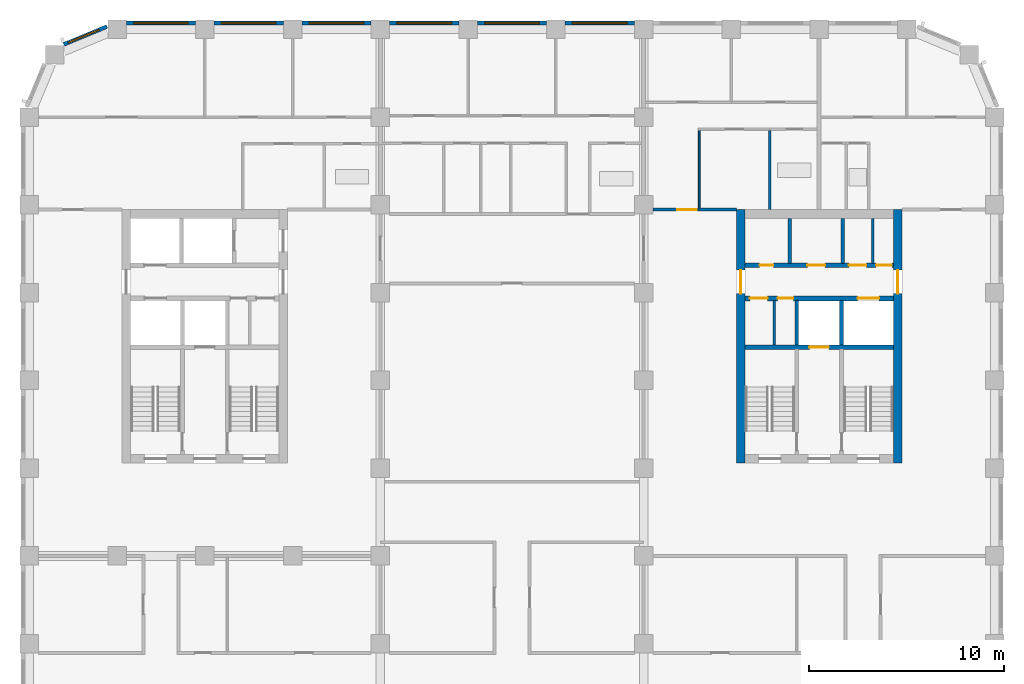
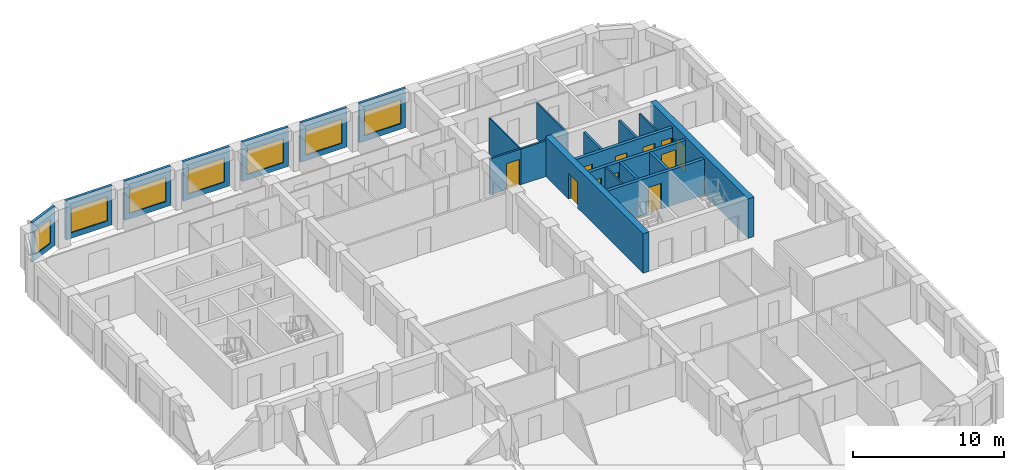
# One storey, part 8 of 13: 22 walls, 11 doors, 7 windows, 18 openings.
"""IFC4 building model written with IfcOpenShell, lengths in metres."""

from ifc_helpers import new_model, si_unit, direction, frame, frame_2d, origin, place, context, subcontext, project, spatial, rectangle, extrude, material, layer, layer_set, type_object, element, fill, save


model = new_model("IFC4")

# Units and contexts
model_context = context("Model", 3, precision=1e-05, world=origin(), true_north=direction((0.0, 1.0)))
body_context = subcontext(model_context, "Body", "Model", "MODEL_VIEW")
ifc_project = project(units=[si_unit("LENGTHUNIT", "METRE"), si_unit("AREAUNIT", "SQUARE_METRE"), si_unit("VOLUMEUNIT", "CUBIC_METRE"), si_unit("PLANEANGLEUNIT", "RADIAN"), si_unit("MASSUNIT", "GRAM", prefix="KILO")], contexts=[model_context])

# Site, building, storey
site_placement = place(None, origin())
site = spatial("IfcSite", under=ifc_project, at=site_placement, CompositionType="ELEMENT")
building_placement = place(site_placement, origin())
building = spatial("IfcBuilding", under=site, at=building_placement, Name="Girih Gate Residences", CompositionType="ELEMENT")
storey_placement = place(building_placement, frame((0.0, 0.0, 133.39990234375)))
storey = spatial("IfcBuildingStorey", under=building, at=storey_placement, Name="L37", CompositionType="ELEMENT", Elevation=133.39990234375)

# Wall, opening, door
ifc_material_1 = material(Name="Gypsum board on steel studs", Category="steel")
ifc_layer_1 = layer(ifc_material_1, 0.14990234375)
ifc_layer_set_1 = layer_set([ifc_layer_1], Name="Compartment wall 150 mm")
wall_type_1 = type_object("IfcWallType", Name="Compartment wall 150 mm", PredefinedType="PARTITIONING", material=ifc_layer_set_1)
wall_1_placement = place(storey_placement, frame((31.97509765625, 40.25, 0.0), z_axis=(0.0, 0.0, 1.0), x_axis=(1.0, 0.0, 0.0)))
wall_1 = element("IfcWall", 1, at=wall_1_placement, inside=storey, type_object=wall_type_1, Name="L37 partition", PredefinedType="PARTITIONING", context=body_context, shape_type="SweptSolid", body=[
    extrude(rectangle(XDim=2.375, YDim=0.14990234375, at=frame_2d((1.1875, 0.0))), origin(), (0.0, 0.0, 1.0), 2.900146484375),
])
opening_1_placement = place(wall_1_placement, frame((1.2451171875, 0.0, 0.0)))
opening_1 = element("IfcOpeningElement", 2, at=opening_1_placement, cuts=wall_1, Name="Opening A37-036", PredefinedType="OPENING", context=body_context, shape_type="SweptSolid", body=[
    extrude(rectangle(XDim=1.0, YDim=2.10009765625, at=frame_2d((0.5, 1.050048828125))), frame((0.0, 0.0849609375, 0.0), z_axis=(0.0, -1.0, 0.0), x_axis=(1.0, 0.0, 0.0)), (0.0, 0.0, 1.0), 0.169921875),
])
ifc_material_2 = material(Name="Timber, fire-rated core", Category="wood")
door_type_1 = type_object("IfcDoorType", Name="Flat entrance door 1000x2100 FD30S", OperationType="NOTDEFINED", PredefinedType="DOOR", material=ifc_material_2)
door_1_placement = place(opening_1_placement, origin())
door_1 = element("IfcDoor", 3, at=door_1_placement, inside=storey, type_object=door_type_1, Name="Door A37-036", OperationType="SINGLE_SWING_RIGHT", OverallHeight=2.10009765625, OverallWidth=1.0, PredefinedType="DOOR", context=body_context, shape_type="SweptSolid", body=[
    extrude(rectangle(XDim=1.0, YDim=2.10009765625, at=frame_2d((0.5, 1.050048828125))), frame((0.0, 0.02490234375, 0.0), z_axis=(0.0, -1.0, 0.0), x_axis=(1.0, 0.0, 0.0)), (0.0, 0.0, 1.0), 0.050048828125),
])
fill(opening_1, door_1)

# Wall
wall_2_placement = place(storey_placement, frame((34.35009765625, 40.25, 0.0), z_axis=(0.0, 0.0, 1.0), x_axis=(1.0, 0.0, 0.0)))
element("IfcWall", 4, at=wall_2_placement, inside=storey, type_object=wall_type_1, Name="L37 partition", PredefinedType="PARTITIONING", context=body_context, shape_type="SweptSolid", body=[
    extrude(rectangle(XDim=1.89990234375, YDim=0.14990234375, at=frame_2d((0.949951171875, 0.0))), origin(), (0.0, 0.0, 1.0), 2.900146484375),
])

# Wall, opening, door
ifc_material_3 = material(Name="Concrete C60/75", Category="concrete")
ifc_layer_2 = layer(ifc_material_3, 0.449951171875)
ifc_layer_set_2 = layer_set([ifc_layer_2], Name="Core wall RC 450 Concrete C60/75")
wall_type_2 = type_object("IfcWallType", Name="Core wall RC 450 Concrete C60/75", PredefinedType="SOLIDWALL", material=ifc_layer_set_2)
wall_3_placement = place(storey_placement, frame((36.47509765625, 27.25, 0.0), z_axis=(0.0, 0.0, 1.0), x_axis=(0.0, 1.0, 0.0)))
wall_3 = element("IfcWall", 5, at=wall_3_placement, inside=storey, type_object=wall_type_2, Name="Core wall E-W L37", PredefinedType="SOLIDWALL", context=body_context, shape_type="SweptSolid", body=[
    extrude(rectangle(XDim=13.0, YDim=0.449951171875, at=frame_2d((6.5, 0.0))), origin(), (0.0, 0.0, 1.0), 3.2001953125),
])
opening_2_placement = place(wall_3_placement, frame((8.699951171875, 0.0, 0.0)))
opening_2 = element("IfcOpeningElement", 6, at=opening_2_placement, cuts=wall_3, Name="Opening D-L37-E-014", PredefinedType="OPENING", context=body_context, shape_type="SweptSolid", body=[
    extrude(rectangle(XDim=1.199951171875, YDim=2.10009765625, at=frame_2d((0.60009765625, 1.050048828125))), frame((0.0, 0.23486328125, 0.0), z_axis=(0.0, -1.0, 0.0), x_axis=(1.0, 0.0, 0.0)), (0.0, 0.0, 1.0), 0.469970703125),
])
ifc_material_4 = material(Name="Painted steel, fire-resisting", Category="steel")
door_type_2 = type_object("IfcDoorType", Name="Fire door 1200x2100", OperationType="SINGLE_SWING_LEFT", PredefinedType="DOOR", material=ifc_material_4)
door_2_placement = place(opening_2_placement, origin())
door_2 = element("IfcDoor", 7, at=door_2_placement, inside=storey, type_object=door_type_2, Name="L37 E core door ll-w", OperationType="SINGLE_SWING_LEFT", OverallHeight=2.10009765625, OverallWidth=1.199951171875, PredefinedType="DOOR", context=body_context, shape_type="SweptSolid", body=[
    extrude(rectangle(XDim=1.199951171875, YDim=2.10009765625, at=frame_2d((0.60009765625, 1.050048828125))), frame((0.0, 0.02490234375, 0.0), z_axis=(0.0, -1.0, 0.0), x_axis=(1.0, 0.0, 0.0)), (0.0, 0.0, 1.0), 0.050048828125),
])
fill(opening_2, door_2)

wall_4_placement = place(storey_placement, frame((44.52490234375, 27.25, 0.0), z_axis=(0.0, 0.0, 1.0), x_axis=(0.0, 1.0, 0.0)))
wall_4 = element("IfcWall", 8, at=wall_4_placement, inside=storey, type_object=wall_type_2, Name="Core wall E-E L37", PredefinedType="SOLIDWALL", context=body_context, shape_type="SweptSolid", body=[
    extrude(rectangle(XDim=13.0, YDim=0.449951171875, at=frame_2d((6.5, 0.0))), origin(), (0.0, 0.0, 1.0), 3.2001953125),
])
opening_3_placement = place(wall_4_placement, frame((8.699951171875, 0.0, 0.0)))
opening_3 = element("IfcOpeningElement", 9, at=opening_3_placement, cuts=wall_4, Name="Opening D-L37-E-015", PredefinedType="OPENING", context=body_context, shape_type="SweptSolid", body=[
    extrude(rectangle(XDim=1.199951171875, YDim=2.10009765625, at=frame_2d((0.60009765625, 1.050048828125))), frame((0.0, 0.23486328125, 0.0), z_axis=(0.0, -1.0, 0.0), x_axis=(1.0, 0.0, 0.0)), (0.0, 0.0, 1.0), 0.469970703125),
])
door_3_placement = place(opening_3_placement, origin())
door_3 = element("IfcDoor", 10, at=door_3_placement, inside=storey, type_object=door_type_2, Name="L37 E core door ll-e", OperationType="SINGLE_SWING_LEFT", OverallHeight=2.10009765625, OverallWidth=1.199951171875, PredefinedType="DOOR", context=body_context, shape_type="SweptSolid", body=[
    extrude(rectangle(XDim=1.199951171875, YDim=2.10009765625, at=frame_2d((0.60009765625, 1.050048828125))), frame((0.0, 0.02490234375, 0.0), z_axis=(0.0, -1.0, 0.0), x_axis=(1.0, 0.0, 0.0)), (0.0, 0.0, 1.0), 0.050048828125),
])
fill(opening_3, door_3)

ifc_material_5 = material(Name="Concrete C40/50", Category="concrete")
ifc_layer_3 = layer(ifc_material_5, 0.25)
ifc_layer_set_3 = layer_set([ifc_layer_3], Name="Lift shaft wall 250")
wall_type_3 = type_object("IfcWallType", Name="Lift shaft wall 250", PredefinedType="SOLIDWALL", material=ifc_layer_set_3)
wall_5_placement = place(storey_placement, frame((36.699951171875, 33.199951171875, 0.0), z_axis=(0.0, 0.0, 1.0), x_axis=(1.0, 0.0, 0.0)))
wall_5 = element("IfcWall", 11, at=wall_5_placement, inside=storey, type_object=wall_type_3, Name="L37 E core wall H1", PredefinedType="SOLIDWALL", context=body_context, shape_type="SweptSolid", body=[
    extrude(rectangle(XDim=7.60009765625, YDim=0.25, at=frame_2d((3.800048828125, 0.0))), origin(), (0.0, 0.0, 1.0), 2.900146484375),
])
opening_4_placement = place(wall_5_placement, frame((3.300048828125, 0.0, 0.0)))
opening_4 = element("IfcOpeningElement", 12, at=opening_4_placement, cuts=wall_5, Name="Opening D-L37-E-004", PredefinedType="OPENING", context=body_context, shape_type="SweptSolid", body=[
    extrude(rectangle(XDim=1.0, YDim=2.10009765625, at=frame_2d((0.5, 1.050048828125))), frame((0.0, 0.135009765625, 0.0), z_axis=(0.0, -1.0, 0.0), x_axis=(1.0, 0.0, 0.0)), (0.0, 0.0, 1.0), 0.27001953125),
])
ifc_material_6 = material(Name="Stainless steel, fire-resisting", Category="steel")
door_type_3 = type_object("IfcDoorType", Name="Firefighting lift landing door 1000x2100", OperationType="SLIDING_TO_LEFT", PredefinedType="DOOR", material=ifc_material_6)
door_4_placement = place(opening_4_placement, origin())
door_4 = element("IfcDoor", 13, at=door_4_placement, inside=storey, type_object=door_type_3, Name="L37 lift FF-E landing door", OperationType="SLIDING_TO_LEFT", OverallHeight=2.10009765625, OverallWidth=1.0, PredefinedType="DOOR", context=body_context, shape_type="SweptSolid", body=[
    extrude(rectangle(XDim=1.0, YDim=2.10009765625, at=frame_2d((0.5, 1.050048828125))), frame((0.0, 0.02490234375, 0.0), z_axis=(0.0, -1.0, 0.0), x_axis=(1.0, 0.0, 0.0)), (0.0, 0.0, 1.0), 0.050048828125),
])
fill(opening_4, door_4)

# Wall, openings, doors
wall_6_placement = place(storey_placement, frame((36.699951171875, 35.699951171875, 0.0), z_axis=(0.0, 0.0, 1.0), x_axis=(1.0, 0.0, 0.0)))
wall_6 = element("IfcWall", 14, at=wall_6_placement, inside=storey, type_object=wall_type_3, Name="L37 E core wall H2", PredefinedType="SOLIDWALL", context=body_context, shape_type="SweptSolid", body=[
    extrude(rectangle(XDim=7.60009765625, YDim=0.25, at=frame_2d((3.800048828125, 0.0))), origin(), (0.0, 0.0, 1.0), 2.900146484375),
])
opening_5_placement = place(wall_6_placement, frame((5.77490234375, 0.0, 0.0)))
opening_5 = element("IfcOpeningElement", 15, at=opening_5_placement, cuts=wall_6, Name="Opening D-L37-E-003", PredefinedType="OPENING", context=body_context, shape_type="SweptSolid", body=[
    extrude(rectangle(XDim=1.10009765625, YDim=2.39990234375, at=frame_2d((0.550048828125, 1.199951171875))), frame((0.0, 0.135009765625, 0.0), z_axis=(0.0, -1.0, 0.0), x_axis=(1.0, 0.0, 0.0)), (0.0, 0.0, 1.0), 0.27001953125),
])
opening_6_placement = place(wall_6_placement, frame((1.675048828125, 0.0, 0.0)))
opening_6 = element("IfcOpeningElement", 16, at=opening_6_placement, cuts=wall_6, Name="Opening D-L37-E-006", PredefinedType="OPENING", context=body_context, shape_type="SweptSolid", body=[
    extrude(rectangle(XDim=0.800048828125, YDim=2.10009765625, at=frame_2d((0.39990234375, 1.050048828125))), frame((0.0, 0.135009765625, 0.0), z_axis=(0.0, -1.0, 0.0), x_axis=(1.0, 0.0, 0.0)), (0.0, 0.0, 1.0), 0.27001953125),
])
opening_7_placement = place(wall_6_placement, frame((0.25, 0.0, 0.0)))
opening_7 = element("IfcOpeningElement", 17, at=opening_7_placement, cuts=wall_6, Name="Opening D-L37-E-007", PredefinedType="OPENING", context=body_context, shape_type="SweptSolid", body=[
    extrude(rectangle(XDim=0.89990234375, YDim=2.10009765625, at=frame_2d((0.449951171875, 1.050048828125))), frame((0.0, 0.135009765625, 0.0), z_axis=(0.0, -1.0, 0.0), x_axis=(1.0, 0.0, 0.0)), (0.0, 0.0, 1.0), 0.27001953125),
])
door_type_4 = type_object("IfcDoorType", Name="Fire door 800x2100", OperationType="SINGLE_SWING_LEFT", PredefinedType="DOOR", material=ifc_material_4)
door_5_placement = place(opening_6_placement, origin())
door_5 = element("IfcDoor", 18, at=door_5_placement, inside=storey, type_object=door_type_4, Name="L37 E it room door", OperationType="SINGLE_SWING_LEFT", OverallHeight=2.10009765625, OverallWidth=0.800048828125, PredefinedType="DOOR", context=body_context, shape_type="SweptSolid", body=[
    extrude(rectangle(XDim=0.800048828125, YDim=2.10009765625, at=frame_2d((0.39990234375, 1.050048828125))), frame((0.0, 0.02490234375, 0.0), z_axis=(0.0, -1.0, 0.0), x_axis=(1.0, 0.0, 0.0)), (0.0, 0.0, 1.0), 0.050048828125),
])
fill(opening_6, door_5)
door_type_5 = type_object("IfcDoorType", Name="Fire door 900x2100", OperationType="SINGLE_SWING_LEFT", PredefinedType="DOOR", material=ifc_material_4)
door_6_placement = place(opening_7_placement, origin())
door_6 = element("IfcDoor", 19, at=door_6_placement, inside=storey, type_object=door_type_5, Name="L37 E maintenance store door", OperationType="SINGLE_SWING_LEFT", OverallHeight=2.10009765625, OverallWidth=0.89990234375, PredefinedType="DOOR", context=body_context, shape_type="SweptSolid", body=[
    extrude(rectangle(XDim=0.89990234375, YDim=2.10009765625, at=frame_2d((0.449951171875, 1.050048828125))), frame((0.0, 0.02490234375, 0.0), z_axis=(0.0, -1.0, 0.0), x_axis=(1.0, 0.0, 0.0)), (0.0, 0.0, 1.0), 0.050048828125),
])
fill(opening_7, door_6)
ifc_material_7 = material(Name="Stainless steel", Category="steel")
door_type_6 = type_object("IfcDoorType", Name="Lift landing door 1100x2400", OperationType="SLIDING_TO_LEFT", PredefinedType="DOOR", material=ifc_material_7)
door_7_placement = place(opening_5_placement, origin())
door_7 = element("IfcDoor", 20, at=door_7_placement, inside=storey, type_object=door_type_6, Name="L37 lift HR-E1 landing door", OperationType="SLIDING_TO_LEFT", OverallHeight=2.39990234375, OverallWidth=1.10009765625, PredefinedType="DOOR", context=body_context, shape_type="SweptSolid", body=[
    extrude(rectangle(XDim=1.10009765625, YDim=2.39990234375, at=frame_2d((0.550048828125, 1.199951171875))), frame((0.0, 0.02490234375, 0.0), z_axis=(0.0, -1.0, 0.0), x_axis=(1.0, 0.0, 0.0)), (0.0, 0.0, 1.0), 0.050048828125),
])
fill(opening_5, door_7)

wall_7_placement = place(storey_placement, frame((36.699951171875, 37.39990234375, 0.0), z_axis=(0.0, 0.0, 1.0), x_axis=(1.0, 0.0, 0.0)))
wall_7 = element("IfcWall", 21, at=wall_7_placement, inside=storey, type_object=wall_type_3, Name="L37 E core wall H3", PredefinedType="SOLIDWALL", context=body_context, shape_type="SweptSolid", body=[
    extrude(rectangle(XDim=7.60009765625, YDim=0.25, at=frame_2d((3.800048828125, 0.0))), origin(), (0.0, 0.0, 1.0), 2.900146484375),
])
opening_8_placement = place(wall_7_placement, frame((0.75, 0.0, 0.0)))
opening_8 = element("IfcOpeningElement", 22, at=opening_8_placement, cuts=wall_7, Name="Opening D-L37-E-005", PredefinedType="OPENING", context=body_context, shape_type="SweptSolid", body=[
    extrude(rectangle(XDim=0.699951171875, YDim=2.10009765625, at=frame_2d((0.35009765625, 1.050048828125))), frame((0.0, 0.135009765625, 0.0), z_axis=(0.0, -1.0, 0.0), x_axis=(1.0, 0.0, 0.0)), (0.0, 0.0, 1.0), 0.27001953125),
])
opening_9_placement = place(wall_7_placement, frame((6.72509765625, 0.0, 0.0)))
opening_9 = element("IfcOpeningElement", 23, at=opening_9_placement, cuts=wall_7, Name="Opening D-L37-E-008", PredefinedType="OPENING", context=body_context, shape_type="SweptSolid", body=[
    extrude(rectangle(XDim=0.800048828125, YDim=2.10009765625, at=frame_2d((0.39990234375, 1.050048828125))), frame((0.0, 0.135009765625, 0.0), z_axis=(0.0, -1.0, 0.0), x_axis=(1.0, 0.0, 0.0)), (0.0, 0.0, 1.0), 0.27001953125),
])
opening_10_placement = place(wall_7_placement, frame((5.324951171875, 0.0, 0.0)))
opening_10 = element("IfcOpeningElement", 24, at=opening_10_placement, cuts=wall_7, Name="Opening D-L37-E-009", PredefinedType="OPENING", context=body_context, shape_type="SweptSolid", body=[
    extrude(rectangle(XDim=0.89990234375, YDim=2.10009765625, at=frame_2d((0.449951171875, 1.050048828125))), frame((0.0, 0.135009765625, 0.0), z_axis=(0.0, -1.0, 0.0), x_axis=(1.0, 0.0, 0.0)), (0.0, 0.0, 1.0), 0.27001953125),
])
opening_11_placement = place(wall_7_placement, frame((3.199951171875, 0.0, 0.0)))
opening_11 = element("IfcOpeningElement", 25, at=opening_11_placement, cuts=wall_7, Name="Opening D-L37-E-010", PredefinedType="OPENING", context=body_context, shape_type="SweptSolid", body=[
    extrude(rectangle(XDim=0.89990234375, YDim=2.10009765625, at=frame_2d((0.449951171875, 1.050048828125))), frame((0.0, 0.135009765625, 0.0), z_axis=(0.0, -1.0, 0.0), x_axis=(1.0, 0.0, 0.0)), (0.0, 0.0, 1.0), 0.27001953125),
])
door_8_placement = place(opening_9_placement, origin())
door_8 = element("IfcDoor", 26, at=door_8_placement, inside=storey, type_object=door_type_4, Name="L37 E riser room door", OperationType="SINGLE_SWING_LEFT", OverallHeight=2.10009765625, OverallWidth=0.800048828125, PredefinedType="DOOR", context=body_context, shape_type="SweptSolid", body=[
    extrude(rectangle(XDim=0.800048828125, YDim=2.10009765625, at=frame_2d((0.39990234375, 1.050048828125))), frame((0.0, 0.02490234375, 0.0), z_axis=(0.0, -1.0, 0.0), x_axis=(1.0, 0.0, 0.0)), (0.0, 0.0, 1.0), 0.050048828125),
])
fill(opening_9, door_8)
door_9_placement = place(opening_10_placement, origin())
door_9 = element("IfcDoor", 27, at=door_9_placement, inside=storey, type_object=door_type_5, Name="L37 E linen store door", OperationType="SINGLE_SWING_LEFT", OverallHeight=2.10009765625, OverallWidth=0.89990234375, PredefinedType="DOOR", context=body_context, shape_type="SweptSolid", body=[
    extrude(rectangle(XDim=0.89990234375, YDim=2.10009765625, at=frame_2d((0.449951171875, 1.050048828125))), frame((0.0, 0.02490234375, 0.0), z_axis=(0.0, -1.0, 0.0), x_axis=(1.0, 0.0, 0.0)), (0.0, 0.0, 1.0), 0.050048828125),
])
fill(opening_10, door_9)
door_10_placement = place(opening_11_placement, origin())
door_10 = element("IfcDoor", 28, at=door_10_placement, inside=storey, type_object=door_type_5, Name="L37 E pantry door", OperationType="SINGLE_SWING_LEFT", OverallHeight=2.10009765625, OverallWidth=0.89990234375, PredefinedType="DOOR", context=body_context, shape_type="SweptSolid", body=[
    extrude(rectangle(XDim=0.89990234375, YDim=2.10009765625, at=frame_2d((0.449951171875, 1.050048828125))), frame((0.0, 0.02490234375, 0.0), z_axis=(0.0, -1.0, 0.0), x_axis=(1.0, 0.0, 0.0)), (0.0, 0.0, 1.0), 0.050048828125),
])
fill(opening_11, door_10)
door_type_7 = type_object("IfcDoorType", Name="Riser access door 700x2100", OperationType="SINGLE_SWING_LEFT", PredefinedType="DOOR", material=ifc_material_4)
door_11_placement = place(opening_8_placement, origin())
door_11 = element("IfcDoor", 29, at=door_11_placement, inside=storey, type_object=door_type_7, Name="L37 E riser room door", OperationType="SINGLE_SWING_LEFT", OverallHeight=2.10009765625, OverallWidth=0.699951171875, PredefinedType="DOOR", context=body_context, shape_type="SweptSolid", body=[
    extrude(rectangle(XDim=0.699951171875, YDim=2.10009765625, at=frame_2d((0.35009765625, 1.050048828125))), frame((0.0, 0.02490234375, 0.0), z_axis=(0.0, -1.0, 0.0), x_axis=(1.0, 0.0, 0.0)), (0.0, 0.0, 1.0), 0.050048828125),
])
fill(opening_8, door_11)

# Wall
ifc_layer_4 = layer(ifc_material_1, 0.10009765625)
ifc_layer_set_4 = layer_set([ifc_layer_4], Name="Partition 100 mm")
wall_type_4 = type_object("IfcWallType", Name="Partition 100 mm", PredefinedType="PARTITIONING", material=ifc_layer_set_4)
wall_8_placement = place(storey_placement, frame((34.35009765625, 40.324951171875, 0.0), z_axis=(0.0, 0.0, 1.0), x_axis=(0.0, 1.0, 0.0)))
element("IfcWall", 30, at=wall_8_placement, inside=storey, type_object=wall_type_4, Name="L37 partition", PredefinedType="PARTITIONING", context=body_context, shape_type="SweptSolid", body=[
    extrude(rectangle(XDim=4.0, YDim=0.10009765625, at=frame_2d((2.0, 0.0))), origin(), (0.0, 0.0, 1.0), 2.900146484375),
])

# Wall, opening, window
ifc_material_8 = material(Name="Precast concrete C50/60", Category="concrete")
ifc_layer_5 = layer(ifc_material_8, 0.06005859375, Name="Outer leaf")
ifc_material_9 = material(Name="Rigid PIR insulation")
ifc_layer_6 = layer(ifc_material_9, 0.090087890625, Name="Insulation")
ifc_material_10 = material(Name="Precast concrete C40/50", Category="concrete")
ifc_layer_7 = layer(ifc_material_10, 0.050048828125, Name="Inner leaf")
ifc_layer_set_5 = layer_set([ifc_layer_5, ifc_layer_6, ifc_layer_7], Name="Precast concrete C50/60 external wall 200")
wall_type_5 = type_object("IfcWallType", Name="Precast concrete C50/60 external wall 200", PredefinedType="SOLIDWALL", material=ifc_layer_set_5)
wall_9_placement = place(storey_placement, frame((27.47509765625, 49.824951171875, 0.0), z_axis=(0.0, 0.0, 1.0), x_axis=(1.0, 0.0, 0.0)))
wall_9 = element("IfcWall", 31, at=wall_9_placement, inside=storey, type_object=wall_type_5, Name="External wall N0450_0495.3", PredefinedType="SOLIDWALL", context=body_context, shape_type="SweptSolid", body=[
    extrude(rectangle(XDim=3.5498046875, YDim=0.199951171875, at=frame_2d((1.77490234375, 0.0))), origin(), (0.0, 0.0, 1.0), 3.2001953125),
])
opening_12_placement = place(wall_9_placement, frame((0.375, 0.0, 0.449951171875)))
opening_12 = element("IfcOpeningElement", 32, at=opening_12_placement, cuts=wall_9, Name="Opening W-1B", PredefinedType="OPENING", context=body_context, shape_type="SweptSolid", body=[
    extrude(rectangle(XDim=2.800048828125, YDim=1.949951171875, at=frame_2d((1.39990234375, 0.97509765625))), frame((0.0, 0.10986328125, 0.0), z_axis=(0.0, -1.0, 0.0), x_axis=(1.0, 0.0, 0.0)), (0.0, 0.0, 1.0), 0.219970703125),
])
ifc_material_11 = material(Name="Double glazing in aluminium frame", Category="aluminium")
window_type_1 = type_object("IfcWindowType", Name="Window W-1B 2800x1950", PartitioningType="SINGLE_PANEL", PredefinedType="WINDOW", material=ifc_material_11)
window_1_placement = place(opening_12_placement, origin())
window_1 = element("IfcWindow", 33, at=window_1_placement, inside=storey, type_object=window_type_1, Name="Window W-1B N0450_0495.3", OverallHeight=1.949951171875, OverallWidth=2.800048828125, PartitioningType="SINGLE_PANEL", PredefinedType="WINDOW", context=body_context, shape_type="SweptSolid", body=[
    extrude(rectangle(XDim=2.800048828125, YDim=1.949951171875, at=frame_2d((1.39990234375, 0.97509765625))), frame((0.0, 0.030029296875, 0.0), z_axis=(0.0, -1.0, 0.0), x_axis=(1.0, 0.0, 0.0)), (0.0, 0.0, 1.0), 0.06005859375),
])
fill(opening_12, window_1)

wall_10_placement = place(storey_placement, frame((22.97509765625, 49.824951171875, 0.0), z_axis=(0.0, 0.0, 1.0), x_axis=(1.0, 0.0, 0.0)))
wall_10 = element("IfcWall", 34, at=wall_10_placement, inside=storey, type_object=wall_type_5, Name="External wall N0450_0495.4", PredefinedType="SOLIDWALL", context=body_context, shape_type="SweptSolid", body=[
    extrude(rectangle(XDim=3.5498046875, YDim=0.199951171875, at=frame_2d((1.77490234375, 0.0))), origin(), (0.0, 0.0, 1.0), 3.2001953125),
])
opening_13_placement = place(wall_10_placement, frame((0.375, 0.0, 0.449951171875)))
opening_13 = element("IfcOpeningElement", 35, at=opening_13_placement, cuts=wall_10, Name="Opening W-1B", PredefinedType="OPENING", context=body_context, shape_type="SweptSolid", body=[
    extrude(rectangle(XDim=2.800048828125, YDim=1.949951171875, at=frame_2d((1.39990234375, 0.97509765625))), frame((0.0, 0.10986328125, 0.0), z_axis=(0.0, -1.0, 0.0), x_axis=(1.0, 0.0, 0.0)), (0.0, 0.0, 1.0), 0.219970703125),
])
window_2_placement = place(opening_13_placement, origin())
window_2 = element("IfcWindow", 36, at=window_2_placement, inside=storey, type_object=window_type_1, Name="Window W-1B N0450_0495.4", OverallHeight=1.949951171875, OverallWidth=2.800048828125, PartitioningType="SINGLE_PANEL", PredefinedType="WINDOW", context=body_context, shape_type="SweptSolid", body=[
    extrude(rectangle(XDim=2.800048828125, YDim=1.949951171875, at=frame_2d((1.39990234375, 0.97509765625))), frame((0.0, 0.030029296875, 0.0), z_axis=(0.0, -1.0, 0.0), x_axis=(1.0, 0.0, 0.0)), (0.0, 0.0, 1.0), 0.06005859375),
])
fill(opening_13, window_2)

wall_11_placement = place(storey_placement, frame((18.47509765625, 49.824951171875, 0.0), z_axis=(0.0, 0.0, 1.0), x_axis=(1.0, 0.0, 0.0)))
wall_11 = element("IfcWall", 37, at=wall_11_placement, inside=storey, type_object=wall_type_5, Name="External wall N0450_0495.5", PredefinedType="SOLIDWALL", context=body_context, shape_type="SweptSolid", body=[
    extrude(rectangle(XDim=3.5498046875, YDim=0.199951171875, at=frame_2d((1.77490234375, 0.0))), origin(), (0.0, 0.0, 1.0), 3.2001953125),
])
opening_14_placement = place(wall_11_placement, frame((0.375, 0.0, 0.449951171875)))
opening_14 = element("IfcOpeningElement", 38, at=opening_14_placement, cuts=wall_11, Name="Opening W-1B", PredefinedType="OPENING", context=body_context, shape_type="SweptSolid", body=[
    extrude(rectangle(XDim=2.800048828125, YDim=1.949951171875, at=frame_2d((1.39990234375, 0.97509765625))), frame((0.0, 0.10986328125, 0.0), z_axis=(0.0, -1.0, 0.0), x_axis=(1.0, 0.0, 0.0)), (0.0, 0.0, 1.0), 0.219970703125),
])
window_3_placement = place(opening_14_placement, origin())
window_3 = element("IfcWindow", 39, at=window_3_placement, inside=storey, type_object=window_type_1, Name="Window W-1B N0450_0495.5", OverallHeight=1.949951171875, OverallWidth=2.800048828125, PartitioningType="SINGLE_PANEL", PredefinedType="WINDOW", context=body_context, shape_type="SweptSolid", body=[
    extrude(rectangle(XDim=2.800048828125, YDim=1.949951171875, at=frame_2d((1.39990234375, 0.97509765625))), frame((0.0, 0.030029296875, 0.0), z_axis=(0.0, -1.0, 0.0), x_axis=(1.0, 0.0, 0.0)), (0.0, 0.0, 1.0), 0.06005859375),
])
fill(opening_14, window_3)

wall_12_placement = place(storey_placement, frame((13.97509765625, 49.824951171875, 0.0), z_axis=(0.0, 0.0, 1.0), x_axis=(1.0, 0.0, 0.0)))
wall_12 = element("IfcWall", 40, at=wall_12_placement, inside=storey, type_object=wall_type_5, Name="External wall N0450_0495.6", PredefinedType="SOLIDWALL", context=body_context, shape_type="SweptSolid", body=[
    extrude(rectangle(XDim=3.5498046875, YDim=0.199951171875, at=frame_2d((1.77490234375, 0.0))), origin(), (0.0, 0.0, 1.0), 3.2001953125),
])
opening_15_placement = place(wall_12_placement, frame((0.375, 0.0, 0.449951171875)))
opening_15 = element("IfcOpeningElement", 41, at=opening_15_placement, cuts=wall_12, Name="Opening W-1B", PredefinedType="OPENING", context=body_context, shape_type="SweptSolid", body=[
    extrude(rectangle(XDim=2.800048828125, YDim=1.949951171875, at=frame_2d((1.39990234375, 0.97509765625))), frame((0.0, 0.10986328125, 0.0), z_axis=(0.0, -1.0, 0.0), x_axis=(1.0, 0.0, 0.0)), (0.0, 0.0, 1.0), 0.219970703125),
])
window_4_placement = place(opening_15_placement, origin())
window_4 = element("IfcWindow", 42, at=window_4_placement, inside=storey, type_object=window_type_1, Name="Window W-1B N0450_0495.6", OverallHeight=1.949951171875, OverallWidth=2.800048828125, PartitioningType="SINGLE_PANEL", PredefinedType="WINDOW", context=body_context, shape_type="SweptSolid", body=[
    extrude(rectangle(XDim=2.800048828125, YDim=1.949951171875, at=frame_2d((1.39990234375, 0.97509765625))), frame((0.0, 0.030029296875, 0.0), z_axis=(0.0, -1.0, 0.0), x_axis=(1.0, 0.0, 0.0)), (0.0, 0.0, 1.0), 0.06005859375),
])
fill(opening_15, window_4)

wall_13_placement = place(storey_placement, frame((9.47509765625, 49.824951171875, 0.0), z_axis=(0.0, 0.0, 1.0), x_axis=(1.0, 0.0, 0.0)))
wall_13 = element("IfcWall", 43, at=wall_13_placement, inside=storey, type_object=wall_type_5, Name="External wall N0450_0495.7", PredefinedType="SOLIDWALL", context=body_context, shape_type="SweptSolid", body=[
    extrude(rectangle(XDim=3.5498046875, YDim=0.199951171875, at=frame_2d((1.77490234375, 0.0))), origin(), (0.0, 0.0, 1.0), 3.2001953125),
])
opening_16_placement = place(wall_13_placement, frame((0.375, 0.0, 0.449951171875)))
opening_16 = element("IfcOpeningElement", 44, at=opening_16_placement, cuts=wall_13, Name="Opening W-1B", PredefinedType="OPENING", context=body_context, shape_type="SweptSolid", body=[
    extrude(rectangle(XDim=2.800048828125, YDim=1.949951171875, at=frame_2d((1.39990234375, 0.97509765625))), frame((0.0, 0.10986328125, 0.0), z_axis=(0.0, -1.0, 0.0), x_axis=(1.0, 0.0, 0.0)), (0.0, 0.0, 1.0), 0.219970703125),
])
window_5_placement = place(opening_16_placement, origin())
window_5 = element("IfcWindow", 45, at=window_5_placement, inside=storey, type_object=window_type_1, Name="Window W-1B N0450_0495.7", OverallHeight=1.949951171875, OverallWidth=2.800048828125, PartitioningType="SINGLE_PANEL", PredefinedType="WINDOW", context=body_context, shape_type="SweptSolid", body=[
    extrude(rectangle(XDim=2.800048828125, YDim=1.949951171875, at=frame_2d((1.39990234375, 0.97509765625))), frame((0.0, 0.030029296875, 0.0), z_axis=(0.0, -1.0, 0.0), x_axis=(1.0, 0.0, 0.0)), (0.0, 0.0, 1.0), 0.06005859375),
])
fill(opening_16, window_5)

wall_14_placement = place(storey_placement, frame((4.97509765625, 49.824951171875, 0.0), z_axis=(0.0, 0.0, 1.0), x_axis=(1.0, 0.0, 0.0)))
wall_14 = element("IfcWall", 46, at=wall_14_placement, inside=storey, type_object=wall_type_5, Name="External wall N0450_0495.8", PredefinedType="SOLIDWALL", context=body_context, shape_type="SweptSolid", body=[
    extrude(rectangle(XDim=3.5498046875, YDim=0.199951171875, at=frame_2d((1.77490234375, 0.0))), origin(), (0.0, 0.0, 1.0), 3.2001953125),
])
opening_17_placement = place(wall_14_placement, frame((0.375, 0.0, 0.449951171875)))
opening_17 = element("IfcOpeningElement", 47, at=opening_17_placement, cuts=wall_14, Name="Opening W-1B", PredefinedType="OPENING", context=body_context, shape_type="SweptSolid", body=[
    extrude(rectangle(XDim=2.800048828125, YDim=1.949951171875, at=frame_2d((1.39990234375, 0.97509765625))), frame((0.0, 0.10986328125, 0.0), z_axis=(0.0, -1.0, 0.0), x_axis=(1.0, 0.0, 0.0)), (0.0, 0.0, 1.0), 0.219970703125),
])
window_6_placement = place(opening_17_placement, origin())
window_6 = element("IfcWindow", 48, at=window_6_placement, inside=storey, type_object=window_type_1, Name="Window W-1B N0450_0495.8", OverallHeight=1.949951171875, OverallWidth=2.800048828125, PartitioningType="SINGLE_PANEL", PredefinedType="WINDOW", context=body_context, shape_type="SweptSolid", body=[
    extrude(rectangle(XDim=2.800048828125, YDim=1.949951171875, at=frame_2d((1.39990234375, 0.97509765625))), frame((0.0, 0.030029296875, 0.0), z_axis=(0.0, -1.0, 0.0), x_axis=(1.0, 0.0, 0.0)), (0.0, 0.0, 1.0), 0.06005859375),
])
fill(opening_17, window_6)

wall_15_placement = place(storey_placement, frame((1.76708984375, 48.7197265625, 0.0), z_axis=(0.0, 0.0, 1.0), x_axis=(0.923880599843, 0.382680855588, 0.0)))
wall_15 = element("IfcWall", 49, at=wall_15_placement, inside=storey, type_object=wall_type_5, Name="External wall NW0045_0495.0", PredefinedType="SOLIDWALL", context=body_context, shape_type="SweptSolid", body=[
    extrude(rectangle(XDim=2.402587890625, YDim=0.199951171875, at=frame_2d((1.201171875, 0.0))), origin(), (0.0, 0.0, 1.0), 3.2001953125),
])
opening_18_placement = place(wall_15_placement, frame((0.25146484375, 0.0, 0.449951171875)))
opening_18 = element("IfcOpeningElement", 50, at=opening_18_placement, cuts=wall_15, Name="Opening W-2E", PredefinedType="OPENING", context=body_context, shape_type="SweptSolid", body=[
    extrude(rectangle(XDim=1.699951171875, YDim=1.949951171875, at=frame_2d((0.85009765625, 0.97509765625))), frame((0.0, 0.10986328125, 0.0), z_axis=(0.0, -1.0, 0.0), x_axis=(1.0, 0.0, 0.0)), (0.0, 0.0, 1.0), 0.219970703125),
])
window_type_2 = type_object("IfcWindowType", Name="Window W-2E 1700x1950", PartitioningType="SINGLE_PANEL", PredefinedType="WINDOW", material=ifc_material_11)
window_7_placement = place(opening_18_placement, origin())
window_7 = element("IfcWindow", 51, at=window_7_placement, inside=storey, type_object=window_type_2, Name="Window W-2E NW0045_0495.0", OverallHeight=1.949951171875, OverallWidth=1.699951171875, PartitioningType="SINGLE_PANEL", PredefinedType="WINDOW", context=body_context, shape_type="SweptSolid", body=[
    extrude(rectangle(XDim=1.699951171875, YDim=1.949951171875, at=frame_2d((0.85009765625, 0.97509765625))), frame((0.0, 0.030029296875, 0.0), z_axis=(0.0, -1.0, 0.0), x_axis=(1.0, 0.0, 0.0)), (0.0, 0.0, 1.0), 0.06005859375),
])
fill(opening_18, window_7)

# Walls
ifc_layer_8 = layer(ifc_material_5, 0.175048828125)
ifc_layer_set_6 = layer_set([ifc_layer_8], Name="Riser shaft wall 175")
wall_type_6 = type_object("IfcWallType", Name="Riser shaft wall 175", PredefinedType="SOLIDWALL", material=ifc_layer_set_6)
for number, where, z_axis, x_axis, name in (
    (52, (41.699951171875, 37.5, 0.0), (0.0, 0.0, 1.0), (0.0, 1.0, 0.0), "L37 E core wall V1c"),
    (53, (39.0, 37.5, 0.0), (0.0, 0.0, 1.0), (0.0, 1.0, 0.0), "L37 E core wall V2c"),
):
    element("IfcWall", number, at=place(storey_placement, frame(where, z_axis=z_axis, x_axis=x_axis)), inside=storey, type_object=wall_type_6, Name=name, PredefinedType="SOLIDWALL", context=body_context, shape_type="SweptSolid", body=[
        extrude(rectangle(XDim=2.300048828125, YDim=0.175048828125, at=frame_2d((1.14990234375, 0.0))), origin(), (0.0, 0.0, 1.0), 2.900146484375),
    ])
ifc_layer_9 = layer(ifc_material_5, 0.199951171875)
ifc_layer_set_7 = layer_set([ifc_layer_9], Name="Shaft wall 200")
wall_type_7 = type_object("IfcWallType", Name="Shaft wall 200", PredefinedType="SOLIDWALL", material=ifc_layer_set_7)
for number, where, z_axis, x_axis, name in (
    (54, (41.64990234375, 33.300048828125, 0.0), (0.0, 0.0, 1.0), (0.0, 1.0, 0.0), "L37 E core wall V1b"),
    (55, (39.35009765625, 33.300048828125, 0.0), (0.0, 0.0, 1.0), (0.0, 1.0, 0.0), "L37 E core wall V2b"),
):
    element("IfcWall", number, at=place(storey_placement, frame(where, z_axis=z_axis, x_axis=x_axis)), inside=storey, type_object=wall_type_7, Name=name, PredefinedType="SOLIDWALL", context=body_context, shape_type="SweptSolid", body=[
        extrude(rectangle(XDim=2.300048828125, YDim=0.199951171875, at=frame_2d((1.14990234375, 0.0))), origin(), (0.0, 0.0, 1.0), 2.900146484375),
    ])
ifc_material_12 = material(Name="Calcium silicate blockwork", Category="masonry")
ifc_layer_10 = layer(ifc_material_12, 0.125)
ifc_layer_set_8 = layer_set([ifc_layer_10], Name="Store partition 125")
wall_type_8 = type_object("IfcWallType", Name="Store partition 125", PredefinedType="PARTITIONING", material=ifc_layer_set_8)
for number, where, z_axis, x_axis, name in (
    (56, (38.199951171875, 33.300048828125, 0.0), (0.0, 0.0, 1.0), (0.0, 1.0, 0.0), "L37 E core wall SHR2"),
    (57, (43.25, 37.5, 0.0), (0.0, 0.0, 1.0), (0.0, 1.0, 0.0), "L37 E core wall SLR1"),
):
    element("IfcWall", number, at=place(storey_placement, frame(where, z_axis=z_axis, x_axis=x_axis)), inside=storey, type_object=wall_type_8, Name=name, PredefinedType="PARTITIONING", context=body_context, shape_type="SweptSolid", body=[
        extrude(rectangle(XDim=2.300048828125, YDim=0.125, at=frame_2d((1.14990234375, 0.0))), origin(), (0.0, 0.0, 1.0), 2.900146484375),
    ])
ifc_layer_11 = layer(ifc_material_1, 0.125)
ifc_layer_set_9 = layer_set([ifc_layer_11], Name="Wet room wall 125 mm")
wall_type_9 = type_object("IfcWallType", Name="Wet room wall 125 mm", PredefinedType="PARTITIONING", material=ifc_layer_set_9)
wall_16_placement = place(storey_placement, frame((37.972900390625, 40.25, 0.0), z_axis=(0.0, 0.0, 1.0), x_axis=(0.0, 1.0, 0.0)))
element("IfcWall", 58, at=wall_16_placement, inside=storey, type_object=wall_type_9, Name="L37 partition", PredefinedType="PARTITIONING", context=body_context, shape_type="SweptSolid", body=[
    extrude(rectangle(XDim=4.0625, YDim=0.125, at=frame_2d((2.03125, 0.0))), origin(), (0.0, 0.0, 1.0), 2.900146484375),
])

save(model, "model.ifc")
